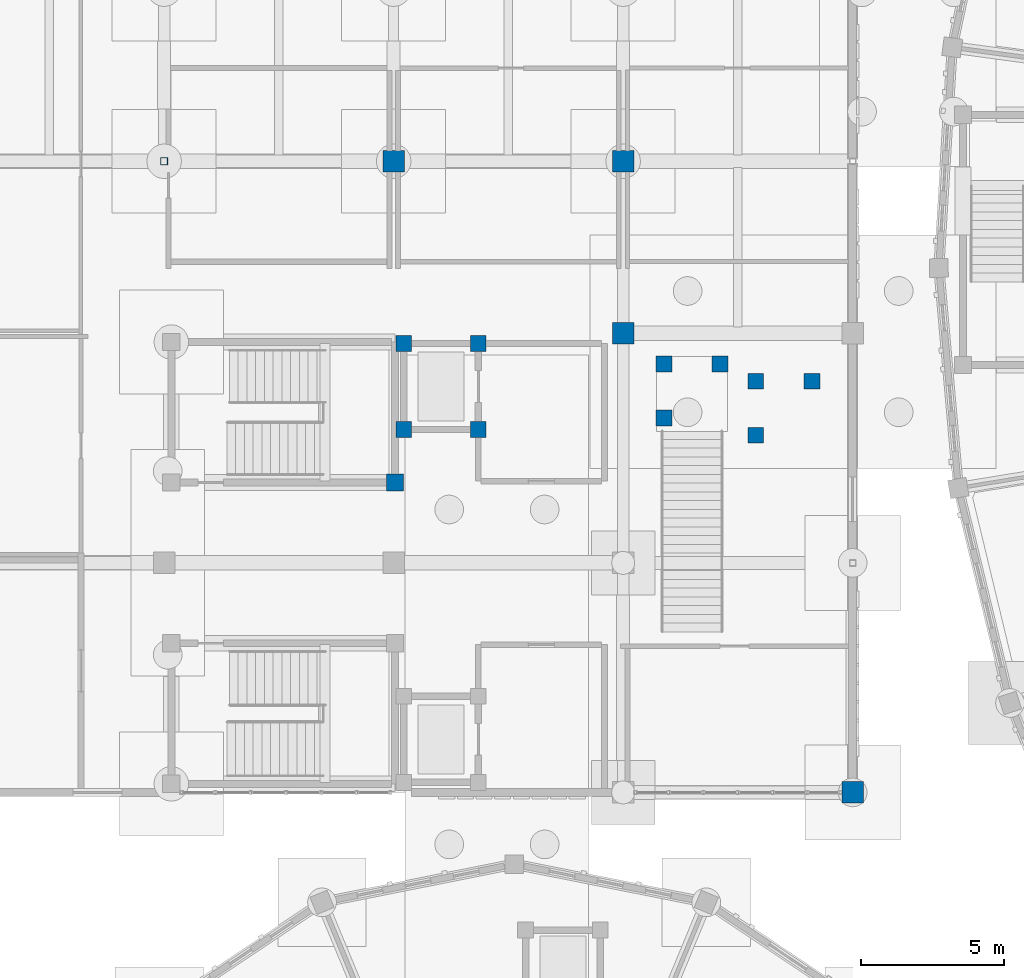
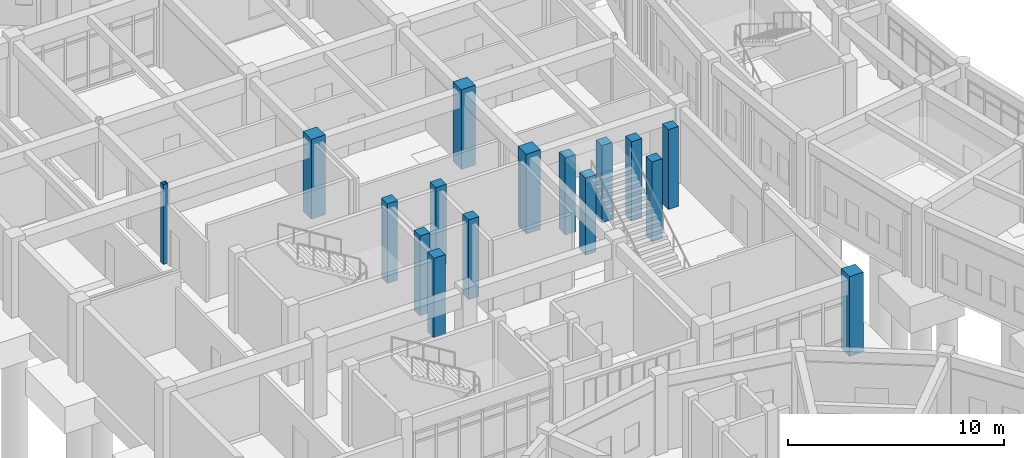
# One storey, part 9 of 153: 16 columns.
"""IFC4 building model written with IfcOpenShell, lengths in metres."""

from ifc_helpers import new_model, si_unit, direction, frame, origin, origin_2d, place, context, subcontext, project, spatial, rectangle, hollow_rectangle, extrude, material, material_profile, profile_set, type_object, element, save


model = new_model("IFC4")

# Units and contexts
model_context = context("Model", 3, precision=1e-05, world=origin(), true_north=direction((0.0, 1.0)))
body_context = subcontext(model_context, "Body", "Model", "MODEL_VIEW")
ifc_project = project(units=[si_unit("LENGTHUNIT", "METRE"), si_unit("AREAUNIT", "SQUARE_METRE"), si_unit("VOLUMEUNIT", "CUBIC_METRE"), si_unit("PLANEANGLEUNIT", "RADIAN"), si_unit("MASSUNIT", "GRAM", prefix="KILO")], contexts=[model_context])

# Site, building, storey
site_placement = place(None, origin())
site = spatial("IfcSite", under=ifc_project, at=site_placement, CompositionType="ELEMENT")
building_placement = place(site_placement, origin())
building = spatial("IfcBuilding", under=site, at=building_placement, Name="Celadon Cloister-Ring School", CompositionType="ELEMENT")
storey_placement = place(building_placement, origin())
storey = spatial("IfcBuildingStorey", under=building, at=storey_placement, Name="L00", CompositionType="ELEMENT", Elevation=0.0)

# Columns
ifc_material_1 = material(Name="Concrete C40/50", Category="concrete")
ifc_material_profile_1 = material_profile(ifc_material_1, rectangle(XDim=0.75, YDim=0.75, at=origin_2d()), Name="RC750X750")
ifc_profile_set_1 = profile_set([ifc_material_profile_1], Name="Concrete C40/50")
column_type_1 = type_object("IfcColumnType", Name="CT-01", PredefinedType="COLUMN", material=ifc_profile_set_1)
for number, where, z_axis, x_axis, name in (
    (1, (16.0, 62.0, 0.0), (0.0, 0.0, 1.0), (1.0, 0.0, 0.0), "Column 1098"),
    (2, (24.0, 56.0, 0.0), (0.0, 0.0, 1.0), (1.0, 0.0, 0.0), "Column 1126"),
    (3, (24.0, 62.0, 0.0), (0.0, 0.0, 1.0), (1.0, 0.0, 0.0), "Column 1132"),
    (4, (32.0, 40.0, 0.0), (0.0, 0.0, 1.0), (1.0, 0.0, 0.0), "Column 1148"),
):
    element("IfcColumn", number, at=place(storey_placement, frame(where, z_axis=z_axis, x_axis=x_axis)), inside=storey, type_object=column_type_1, Name=name, PredefinedType="COLUMN", context=body_context, shape_type="SweptSolid", body=[
        extrude(rectangle(XDim=0.75, YDim=0.75, at=origin_2d()), origin(), (0.0, 0.0, 1.0), 4.5),
    ])
ifc_material_2 = material(Name="Concrete C40/50", Category="concrete")
ifc_material_profile_2 = material_profile(ifc_material_2, rectangle(XDim=0.60009765625, YDim=0.60009765625, at=origin_2d()), Name="RC600X600")
ifc_profile_set_2 = profile_set([ifc_material_profile_2], Name="Concrete C40/50")
column_type_2 = type_object("IfcColumnType", Name="CT-04", PredefinedType="COLUMN", material=ifc_profile_set_2)
column_1_placement = place(storey_placement, frame((16.050048828125, 50.800048828125, 0.0), z_axis=(0.0, 0.0, 1.0), x_axis=(1.0, 0.0, 0.0)))
element("IfcColumn", 5, at=column_1_placement, inside=storey, type_object=column_type_2, Name="Column 0147", PredefinedType="COLUMN", context=body_context, shape_type="SweptSolid", body=[
    extrude(rectangle(XDim=0.60009765625, YDim=0.60009765625, at=origin_2d()), origin(), (0.0, 0.0, 1.0), 4.5),
])
ifc_material_3 = material(Name="Concrete C40/50", Category="concrete")
ifc_material_profile_3 = material_profile(ifc_material_3, rectangle(XDim=0.550048828125, YDim=0.550048828125, at=origin_2d()), Name="RC550X550")
ifc_profile_set_3 = profile_set([ifc_material_profile_3], Name="Concrete C40/50")
column_type_3 = type_object("IfcColumnType", Name="CT-05", PredefinedType="COLUMN", material=ifc_profile_set_3)
for number, where, z_axis, x_axis, name in (
    (6, (25.419921875, 54.929931640625, 0.0), (0.0, 0.0, 1.0), (1.0, 0.0, 0.0), "Column 0191"),
    (7, (27.3798828125, 54.929931640625, 0.0), (0.0, 0.0, 1.0), (1.0, 0.0, 0.0), "Column 0192"),
    (8, (25.419921875, 53.050048828125, 0.0), (0.0, 0.0, 1.0), (1.0, 0.0, 0.0), "Column 0193"),
):
    element("IfcColumn", number, at=place(storey_placement, frame(where, z_axis=z_axis, x_axis=x_axis)), inside=storey, type_object=column_type_3, Name=name, PredefinedType="COLUMN", context=body_context, shape_type="SweptSolid", body=[
        extrude(rectangle(XDim=0.550048828125, YDim=0.550048828125, at=origin_2d()), origin(), (0.0, 0.0, 1.0), 4.35009765625),
    ])
for number, where, z_axis, x_axis, name in (
    (9, (28.6201171875, 54.330078125, 0.0), (0.0, 0.0, 1.0), (1.0, 0.0, 0.0), "Column 0194"),
    (10, (30.580078125, 54.330078125, 0.0), (0.0, 0.0, 1.0), (1.0, 0.0, 0.0), "Column 0196"),
    (11, (28.6201171875, 52.449951171875, 0.0), (0.0, 0.0, 1.0), (1.0, 0.0, 0.0), "Column 0198"),
    (12, (16.35009765625, 52.64990234375, 0.0), (0.0, 0.0, 1.0), (1.0, 0.0, 0.0), "Column 0236"),
    (13, (18.949951171875, 52.64990234375, 0.0), (0.0, 0.0, 1.0), (1.0, 0.0, 0.0), "Column 0242"),
    (14, (18.949951171875, 55.64990234375, 0.0), (0.0, 0.0, 1.0), (1.0, 0.0, 0.0), "Column 0248"),
    (15, (16.35009765625, 55.64990234375, 0.0), (0.0, 0.0, 1.0), (1.0, 0.0, 0.0), "Column 0254"),
):
    element("IfcColumn", number, at=place(storey_placement, frame(where, z_axis=z_axis, x_axis=x_axis)), inside=storey, type_object=column_type_3, Name=name, PredefinedType="COLUMN", context=body_context, shape_type="SweptSolid", body=[
        extrude(rectangle(XDim=0.550048828125, YDim=0.550048828125, at=origin_2d()), origin(), (0.0, 0.0, 1.0), 4.5),
    ])
ifc_material_4 = material(Name="Structural steel S355JR", Category="steel")
ifc_material_profile_4 = material_profile(ifc_material_4, hollow_rectangle(XDim=0.25, YDim=0.25, WallThickness=0.010009765625, at=origin_2d()), Name="HSS250X250X10")
ifc_profile_set_4 = profile_set([ifc_material_profile_4], Name="Structural steel S355JR")
column_type_4 = type_object("IfcColumnType", Name="CT-08", PredefinedType="COLUMN", material=ifc_profile_set_4)
column_2_placement = place(storey_placement, frame((8.0, 62.0, 0.0), z_axis=(0.0, 0.0, 1.0), x_axis=(1.0, 0.0, 0.0)))
element("IfcColumn", 16, at=column_2_placement, inside=storey, type_object=column_type_4, Name="Column 1183", PredefinedType="COLUMN", context=body_context, shape_type="SweptSolid", body=[
    extrude(hollow_rectangle(XDim=0.25, YDim=0.25, WallThickness=0.010009765625, at=origin_2d()), origin(), (0.0, 0.0, 1.0), 4.5),
])

save(model, "model.ifc")
